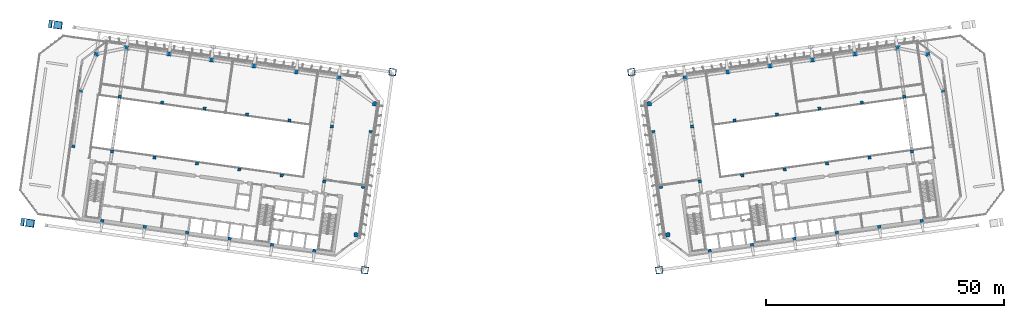
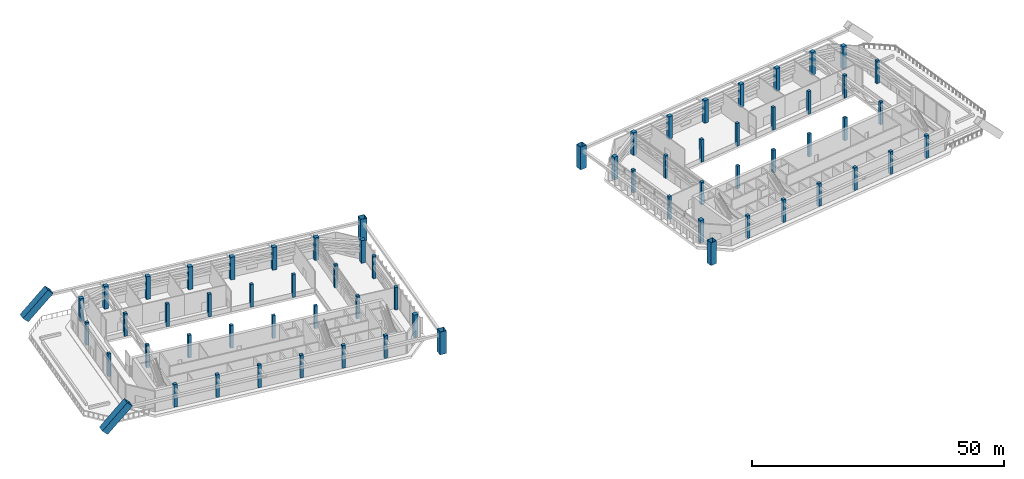
# One storey, part 1 of 41: 67 columns.
"""IFC4 building model written with IfcOpenShell, lengths in metres."""

import ifcopenshell
import ifcopenshell.guid

model = None  # the IFC model being written
_history = None  # IfcOwnerHistory: only IFC2X3 demands one
_inside = {}  # id of a spatial element -> (the spatial element, [elements in it])
_under = {}  # id of a project, library or spatial element -> (it, [spatial elements below it])
_declared = {}  # id of a project -> (the project, [libraries it declares])
_typed = {}  # id of a type object -> (the type object, [elements of that type])
_made_of = {}  # id of a material, layer set ... -> (it, [elements and type objects made of it])


def new_model(schema):
    """Start an empty IFC model of exactly this schema.

    Asked for "IFC4X3", IfcOpenShell would pick the latest addendum, in which some entities
    have other attributes; the version numbers below select the first issue.
    IFC2X3 requires an IfcOwnerHistory on every rooted entity: one is made here for all.
    """
    global model, _history
    if schema == "IFC4X3":
        model = ifcopenshell.file(schema_version=(4, 3, 0, 0))
    else:
        model = ifcopenshell.file(schema=schema)
    _inside.clear()
    _under.clear()
    _declared.clear()
    _typed.clear()
    _made_of.clear()
    _history = None
    if model.schema == "IFC2X3":
        org = make("IfcOrganization", Name="unknown")
        user = make(
            "IfcPersonAndOrganization",
            ThePerson=make("IfcPerson", FamilyName="unknown"),
            TheOrganization=org,
        )
        app = make(
            "IfcApplication",
            ApplicationDeveloper=org,
            Version="unknown",
            ApplicationFullName="unknown",
            ApplicationIdentifier="unknown",
        )
        _history = make(
            "IfcOwnerHistory",
            OwningUser=user,
            OwningApplication=app,
            ChangeAction="ADDED",
            CreationDate=0,
        )
    return model


def make(cls, **values):
    """One entity of the class cls with the attributes given. An attribute that is None is left unset."""
    return model.create_entity(
        cls, **{name: value for name, value in values.items() if value is not None}
    )


def rooted(cls, **values):
    """An entity with a GlobalId (a new one), such as an element, a storey or a relation."""
    return make(cls, GlobalId=ifcopenshell.guid.new(), OwnerHistory=_history, **values)


def si_unit(unit_type, name, prefix=None):
    """IfcSIUnit, for example si_unit("LENGTHUNIT", "METRE", prefix="MILLI")."""
    return make("IfcSIUnit", UnitType=unit_type, Prefix=prefix, Name=name)


def assignment(units):
    """IfcUnitAssignment: the units of a project."""
    return None if units is None else make("IfcUnitAssignment", Units=units)


def point(xyz):
    """IfcCartesianPoint."""
    return None if xyz is None else make("IfcCartesianPoint", Coordinates=xyz)


def direction(xyz):
    """IfcDirection."""
    return None if xyz is None else make("IfcDirection", DirectionRatios=xyz)


def frame(location, z_axis=None, x_axis=None):
    """IfcAxis2Placement3D, a coordinate frame: its origin and axes. An axis left out is left unset."""
    return make(
        "IfcAxis2Placement3D",
        Location=point(location),
        Axis=direction(z_axis),
        RefDirection=direction(x_axis),
    )


def frame_2d(location, x_axis=None):
    """IfcAxis2Placement2D, a coordinate frame in the plane: its origin and x axis."""
    return make(
        "IfcAxis2Placement2D", Location=point(location), RefDirection=direction(x_axis)
    )


def origin():
    """The frame at (0, 0, 0) with its axes left unset."""
    return frame((0.0, 0.0, 0.0))


def origin_2d():
    """The frame at (0, 0) in the plane with its x axis left unset."""
    return frame_2d((0.0, 0.0))


def place(relative_to, where):
    """IfcLocalPlacement: puts the frame where relative to a parent placement (None: the world)."""
    return make(
        "IfcLocalPlacement", PlacementRelTo=relative_to, RelativePlacement=where
    )


def context(
    kind, dimensions, precision=None, world=None, true_north=None, identifier=None
):
    """IfcGeometricRepresentationContext, for example the 3D "Model" context."""
    return make(
        "IfcGeometricRepresentationContext",
        ContextIdentifier=identifier,
        ContextType=kind,
        CoordinateSpaceDimension=dimensions,
        Precision=precision,
        WorldCoordinateSystem=world,
        TrueNorth=true_north,
    )


def subcontext(parent, identifier, kind, view, scale=None):
    """IfcGeometricRepresentationSubContext, for example "Body" below "Model"."""
    return make(
        "IfcGeometricRepresentationSubContext",
        ContextIdentifier=identifier,
        ContextType=kind,
        ParentContext=parent,
        TargetScale=scale,
        TargetView=view,
    )


def project(units=None, contexts=None):
    """IfcProject with its units and contexts."""
    return rooted(
        "IfcProject",
        Name="project",
        RepresentationContexts=contexts,
        UnitsInContext=assignment(units),
    )


def spatial(cls, under=None, at=None, **own):
    """A site, building, storey or space (cls), placed at a placement, below another one or the project."""
    s = rooted(cls, ObjectPlacement=at, **own)
    if under is not None:
        _under.setdefault(under.id(), (under, []))[1].append(s)
    return s


def profile(cls, at=None, kind="AREA", **sizes):
    """A parametric profile (cls). Its sizes go by their IFC names, for example OverallWidth=200.0."""
    return make(cls, ProfileType=kind, Position=at, **sizes)


def rectangle(**sizes):
    """IfcRectangleProfileDef."""
    return profile("IfcRectangleProfileDef", **sizes)


def hollow_rectangle(**sizes):
    """IfcRectangleHollowProfileDef."""
    return profile("IfcRectangleHollowProfileDef", **sizes)


def extrude(swept, where, along, depth):
    """IfcExtrudedAreaSolid: the profile swept, set in the frame where, extruded along a direction by depth."""
    return make(
        "IfcExtrudedAreaSolid",
        SweptArea=swept,
        Position=where,
        ExtrudedDirection=direction(along),
        Depth=depth,
    )


def shape(context_of_items, identifier, shape_type, items):
    """IfcShapeRepresentation: the items that make up one representation, for example the "Body"."""
    return make(
        "IfcShapeRepresentation",
        ContextOfItems=context_of_items,
        RepresentationIdentifier=identifier,
        RepresentationType=shape_type,
        Items=items,
    )


def material(Name=None, Category=None):
    """IfcMaterial."""
    return make("IfcMaterial", Name=Name, Category=Category)


def material_profile(
    of_material, cross_section, Name=None, Category=None, Priority=None
):
    """IfcMaterialProfile: a cross section and its material."""
    return make(
        "IfcMaterialProfile",
        Name=Name,
        Material=of_material,
        Profile=cross_section,
        Priority=Priority,
        Category=Category,
    )


def profile_set(profiles, Name=None, composite=None):
    """IfcMaterialProfileSet."""
    return make(
        "IfcMaterialProfileSet",
        Name=Name,
        MaterialProfiles=profiles,
        CompositeProfile=composite,
    )


def made_of(thing, what):
    """Note that an element or type object is made of a material, layer set ...; save() writes the relation."""
    if what is not None:
        _made_of.setdefault(what.id(), (what, []))[1].append(thing)
    return thing


def type_object(cls, material=None, **own):
    """A type object (cls), such as IfcWallType, which elements share."""
    return made_of(rooted(cls, **own), material)


def element(
    cls,
    number,
    at=None,
    inside=None,
    cuts=None,
    type_object=None,
    material=None,
    context=None,
    identifier="Body",
    shape_type=None,
    held_by="IfcProductDefinitionShape",
    body=None,
    shapes=None,
    **own,
):
    """One element of the class cls, such as IfcWall. Its Tag is "e" and its number.

    at: its placement. inside: the storey or other place that contains it. cuts: it is an
    opening in that element (IfcRelVoidsElement). A single representation is given by context,
    identifier, shape_type and body (its items); several are given by shapes. held_by: the class
    of the entity that holds the representations. save() writes the other relations.
    """
    e = rooted(cls, Tag="e%d" % number, ObjectPlacement=at, **own)
    if body is not None:
        shapes = [shape(context, identifier, shape_type, body)]
    if shapes is not None:
        e.Representation = make(held_by, Representations=shapes)
    if inside is not None:
        _inside.setdefault(inside.id(), (inside, []))[1].append(e)
    if cuts is not None:
        rooted(
            "IfcRelVoidsElement", RelatingBuildingElement=cuts, RelatedOpeningElement=e
        )
    if type_object is not None:
        _typed.setdefault(type_object.id(), (type_object, []))[1].append(e)
    return made_of(e, material)


def aggregate(whole, parts):
    """IfcRelAggregates: a whole, such as a stair, and the parts it consists of."""
    return rooted("IfcRelAggregates", RelatingObject=whole, RelatedObjects=parts)


def save(model, path):
    """Write the relations noted so far, then the file.

    IfcRelAggregates (storeys below a building ...), IfcRelContainedInSpatialStructure (elements
    in a storey), IfcRelDefinesByType, IfcRelAssociatesMaterial and IfcRelDeclares: one each for
    every whole, place, type object, material and project.
    """
    for whole, parts in _under.values():
        aggregate(whole, parts)
    for where, things in _inside.values():
        rooted(
            "IfcRelContainedInSpatialStructure",
            RelatedElements=things,
            RelatingStructure=where,
        )
    for kind, things in _typed.values():
        rooted("IfcRelDefinesByType", RelatedObjects=things, RelatingType=kind)
    for what, things in _made_of.values():
        rooted("IfcRelAssociatesMaterial", RelatedObjects=things, RelatingMaterial=what)
    for by, libraries in _declared.values():
        rooted("IfcRelDeclares", RelatingContext=by, RelatedDefinitions=libraries)
    model.write(path)


model = new_model("IFC4")

# Units and contexts
model_context = context("Model", 3, precision=1e-05, world=origin(), true_north=direction((0.0, 1.0)))
body_context = subcontext(model_context, "Body", "Model", "MODEL_VIEW")
ifc_project = project(units=[si_unit("LENGTHUNIT", "METRE"), si_unit("AREAUNIT", "SQUARE_METRE"), si_unit("VOLUMEUNIT", "CUBIC_METRE"), si_unit("PLANEANGLEUNIT", "RADIAN"), si_unit("MASSUNIT", "GRAM", prefix="KILO")], contexts=[model_context])

# Site, building, storey
site_placement = place(None, origin())
site = spatial("IfcSite", under=ifc_project, at=site_placement, CompositionType="ELEMENT")
building_placement = place(site_placement, origin())
building = spatial("IfcBuilding", under=site, at=building_placement, Name="Mirante Cascada Hotel Towers", CompositionType="ELEMENT")
storey_placement = place(building_placement, frame((0.0, 0.0, 151.9)))
storey = spatial("IfcBuildingStorey", under=building, at=storey_placement, Name="L35", CompositionType="ELEMENT", Elevation=151.9)

# Columns
ifc_material_1 = material(Name="Steel ASTM A572 Gr 50", Category="steel")
ifc_material_profile_1 = material_profile(ifc_material_1, hollow_rectangle(XDim=1.4, YDim=1.4, WallThickness=0.06, at=origin_2d()), Name="Box column 1400x1400x60 ASTM A572 Gr 50")
ifc_profile_set_1 = profile_set([ifc_material_profile_1], Name="Steel ASTM A572 Gr 50")
column_type_1 = type_object("IfcColumnType", Name="Box column 1400x1400x60 ASTM A572 Gr 50", PredefinedType="COLUMN", material=ifc_profile_set_1)
for number, where, z_axis, x_axis, name in (
    (1, (-25.0614, 18.5123, 0.0), (0.0, 0.0, 1.0), (-0.9902681, 0.1391731, 0.0), "Mega column MC1 T1 L35"),
    (2, (-30.9067, -23.079, 0.0), (0.0, 0.0, 1.0), (-0.9902681, 0.1391731, 0.0), "Mega column MC2 T1 L35"),
    (3, (25.0614, 18.5123, 0.0), (0.0, 0.0, 1.0), (0.9902681, 0.1391731, 0.0), "Mega column MC1 T2 L35"),
    (4, (30.9067, -23.079, 0.0), (0.0, 0.0, 1.0), (0.9902681, 0.1391731, 0.0), "Mega column MC2 T2 L35"),
):
    element("IfcColumn", number, at=place(storey_placement, frame(where, z_axis=z_axis, x_axis=x_axis)), inside=storey, type_object=column_type_1, Name=name, PredefinedType="COLUMN", context=body_context, shape_type="SweptSolid", body=[
        extrude(hollow_rectangle(XDim=1.4, YDim=1.4, WallThickness=0.06, at=origin_2d()), origin(), (0.0, 0.0, 1.0), 5.5),
    ])
ifc_material_2 = material(Name="Steel ASTM A572 Gr 50", Category="steel")
ifc_material_profile_2 = material_profile(ifc_material_2, hollow_rectangle(XDim=1.6, YDim=1.6, WallThickness=0.07, at=origin_2d()), Name="Box column 1600x1600x70 ASTM A572 Gr 50")
ifc_profile_set_2 = profile_set([ifc_material_profile_2], Name="Steel ASTM A572 Gr 50")
column_type_2 = type_object("IfcColumnType", Name="Box column 1600x1600x70 ASTM A572 Gr 50", PredefinedType="COLUMN", material=ifc_profile_set_2)
column_1_placement = place(storey_placement, frame((-96.7156, 28.5826, 0.0), z_axis=(0.6886554, -0.096776, 0.7186015), x_axis=(0.1391616, 0.9902697, 0.0)))
element("IfcColumn", 5, at=column_1_placement, inside=storey, type_object=column_type_2, Name="Mega column MC3 T1 L35", PredefinedType="COLUMN", context=body_context, shape_type="SweptSolid", body=[
    extrude(hollow_rectangle(XDim=1.6, YDim=1.6, WallThickness=0.07, at=origin_2d()), origin(), (0.0, 0.0, 1.0), 7.6538),
])
column_2_placement = place(storey_placement, frame((-102.5608, -13.0086, 0.0), z_axis=(0.6886477, -0.0967898, 0.7186071), x_axis=(0.1391826, 0.9902667, 0.0)))
element("IfcColumn", 6, at=column_2_placement, inside=storey, type_object=column_type_2, Name="Mega column MC4 T1 L35", PredefinedType="COLUMN", context=body_context, shape_type="SweptSolid", body=[
    extrude(hollow_rectangle(XDim=1.6, YDim=1.6, WallThickness=0.07, at=origin_2d()), origin(), (0.0, 0.0, 1.0), 7.6537),
])
ifc_material_3 = material(Name="Concrete C60/75", Category="concrete")
ifc_material_profile_3 = material_profile(ifc_material_3, rectangle(XDim=0.65, YDim=0.65, at=origin_2d()), Name="RC column 650x650 C60/75")
ifc_profile_set_3 = profile_set([ifc_material_profile_3], Name="Concrete C60/75")
column_type_3 = type_object("IfcColumnType", Name="RC column 650x650 C60/75", PredefinedType="COLUMN", material=ifc_profile_set_3)
for number, where, z_axis, x_axis, name in (
    (7, (-29.6893, 5.9592, 0.0), (0.0, 0.0, 1.0), (-0.9902681, 0.1391731, 0.0), "Column T1 L35 2"),
    (8, (-31.3106, -5.5774, 0.0), (0.0, 0.0, 1.0), (-0.9902681, 0.1391731, 0.0), "Column T1 L35 3"),
):
    element("IfcColumn", number, at=place(storey_placement, frame(where, z_axis=z_axis, x_axis=x_axis)), inside=storey, type_object=column_type_3, Name=name, PredefinedType="COLUMN", context=body_context, shape_type="SweptSolid", body=[
        extrude(rectangle(XDim=0.65, YDim=0.65, at=origin_2d()), origin(), (0.0, 0.0, 1.0), 5.4975),
    ])
for number, where, z_axis, x_axis, name in (
    (9, (-37.8243, 7.1025, 0.004), (0.0069918, -0.0009832, 0.9999751), (0.1392548, 0.9902566, 0.0), "Column T1 L35 6"),
    (10, (-39.4457, -4.4341, 0.004), (0.0069918, -0.0009832, 0.9999751), (0.1392548, 0.9902566, 0.0), "Column T1 L35 7"),
    (11, (-46.7367, 8.3551, 0.004), (0.0048434, -0.0006919, 0.999988), (0.1414214, 0.9899495, 0.0), "Column T1 L35 10"),
    (12, (-48.3581, -3.1815, 0.004), (0.0048434, -0.0006919, 0.999988), (0.1414214, 0.9899495, 0.0), "Column T1 L35 11"),
):
    element("IfcColumn", number, at=place(storey_placement, frame(where, z_axis=z_axis, x_axis=x_axis)), inside=storey, type_object=column_type_3, Name=name, PredefinedType="COLUMN", context=body_context, shape_type="SweptSolid", body=[
        extrude(rectangle(XDim=0.65, YDim=0.65, at=origin_2d()), origin(), (0.0, 0.0, 1.0), 5.4921),
    ])
for number, where, z_axis, x_axis, name in (
    (13, (-55.6343, 9.6055, 0.0), (0.0, 0.0, 1.0), (-0.9902681, 0.1391731, 0.0), "Column T1 L35 14"),
    (14, (-57.2557, -1.9311, 0.0), (0.0, 0.0, 1.0), (-0.9902681, 0.1391731, 0.0), "Column T1 L35 15"),
    (15, (-64.5467, 10.8581, 0.0), (0.0, 0.0, 1.0), (-0.9902681, 0.1391731, 0.0), "Column T1 L35 18"),
    (16, (-66.1681, -0.6785, 0.0), (0.0, 0.0, 1.0), (-0.9902681, 0.1391731, 0.0), "Column T1 L35 19"),
    (17, (-73.4591, 12.1107, 0.0), (0.0, 0.0, 1.0), (-0.9902681, 0.1391731, 0.0), "Column T1 L35 22"),
    (18, (-75.0805, 0.574, 0.0), (0.0, 0.0, 1.0), (-0.9902681, 0.1391731, 0.0), "Column T1 L35 23"),
    (19, (-82.3715, 13.3632, 0.0), (0.0, 0.0, 1.0), (-0.9902681, 0.1391731, 0.0), "Column T1 L35 26"),
    (20, (-83.9929, 1.8266, 0.0), (0.0, 0.0, 1.0), (-0.9902681, 0.1391731, 0.0), "Column T1 L35 27"),
    (21, (-90.4917, 14.5044, 0.0), (0.0, 0.0, 1.0), (-0.9902681, 0.1391731, 0.0), "Column T1 L35 30"),
    (22, (-92.1131, 2.9678, 0.0), (0.0, 0.0, 1.0), (-0.9902681, 0.1391731, 0.0), "Column T1 L35 31"),
):
    element("IfcColumn", number, at=place(storey_placement, frame(where, z_axis=z_axis, x_axis=x_axis)), inside=storey, type_object=column_type_3, Name=name, PredefinedType="COLUMN", context=body_context, shape_type="SweptSolid", body=[
        extrude(rectangle(XDim=0.65, YDim=0.65, at=origin_2d()), origin(), (0.0, 0.0, 1.0), 5.5),
    ])
for number, where, z_axis, x_axis, name in (
    (23, (29.6893, 5.9592, 0.0), (0.0, 0.0, 1.0), (0.9902681, 0.1391731, 0.0), "Column T2 L35 2"),
    (24, (31.3106, -5.5774, 0.0), (0.0, 0.0, 1.0), (0.9902681, 0.1391731, 0.0), "Column T2 L35 3"),
):
    element("IfcColumn", number, at=place(storey_placement, frame(where, z_axis=z_axis, x_axis=x_axis)), inside=storey, type_object=column_type_3, Name=name, PredefinedType="COLUMN", context=body_context, shape_type="SweptSolid", body=[
        extrude(rectangle(XDim=0.65, YDim=0.65, at=origin_2d()), origin(), (0.0, 0.0, 1.0), 5.4975),
    ])
for number, where, z_axis, x_axis, name in (
    (25, (37.8243, 7.1025, 0.004), (-0.0069918, -0.0009832, 0.9999751), (0.1392548, -0.9902566, 0.0), "Column T2 L35 6"),
    (26, (39.4457, -4.4341, 0.004), (-0.0069918, -0.0009832, 0.9999751), (0.1392548, -0.9902566, 0.0), "Column T2 L35 7"),
    (27, (46.7367, 8.3551, 0.004), (-0.0048434, -0.0006919, 0.999988), (0.1414214, -0.9899495, 0.0), "Column T2 L35 10"),
    (28, (48.3581, -3.1815, 0.004), (-0.0048434, -0.0006919, 0.999988), (0.1414214, -0.9899495, 0.0), "Column T2 L35 11"),
):
    element("IfcColumn", number, at=place(storey_placement, frame(where, z_axis=z_axis, x_axis=x_axis)), inside=storey, type_object=column_type_3, Name=name, PredefinedType="COLUMN", context=body_context, shape_type="SweptSolid", body=[
        extrude(rectangle(XDim=0.65, YDim=0.65, at=origin_2d()), origin(), (0.0, 0.0, 1.0), 5.4921),
    ])
for number, where, z_axis, x_axis, name in (
    (29, (55.6343, 9.6055, 0.0), (0.0, 0.0, 1.0), (0.9902681, 0.1391731, 0.0), "Column T2 L35 14"),
    (30, (57.2557, -1.9311, 0.0), (0.0, 0.0, 1.0), (0.9902681, 0.1391731, 0.0), "Column T2 L35 15"),
    (31, (64.5467, 10.8581, 0.0), (0.0, 0.0, 1.0), (0.9902681, 0.1391731, 0.0), "Column T2 L35 18"),
    (32, (66.1681, -0.6785, 0.0), (0.0, 0.0, 1.0), (0.9902681, 0.1391731, 0.0), "Column T2 L35 19"),
    (33, (73.4591, 12.1107, 0.0), (0.0, 0.0, 1.0), (0.9902681, 0.1391731, 0.0), "Column T2 L35 22"),
    (34, (75.0805, 0.574, 0.0), (0.0, 0.0, 1.0), (0.9902681, 0.1391731, 0.0), "Column T2 L35 23"),
    (35, (82.3715, 13.3632, 0.0), (0.0, 0.0, 1.0), (0.9902681, 0.1391731, 0.0), "Column T2 L35 26"),
    (36, (83.9929, 1.8266, 0.0), (0.0, 0.0, 1.0), (0.9902681, 0.1391731, 0.0), "Column T2 L35 27"),
    (37, (90.4917, 14.5044, 0.0), (0.0, 0.0, 1.0), (0.9902681, 0.1391731, 0.0), "Column T2 L35 30"),
):
    element("IfcColumn", number, at=place(storey_placement, frame(where, z_axis=z_axis, x_axis=x_axis)), inside=storey, type_object=column_type_3, Name=name, PredefinedType="COLUMN", context=body_context, shape_type="SweptSolid", body=[
        extrude(rectangle(XDim=0.65, YDim=0.65, at=origin_2d()), origin(), (0.0, 0.0, 1.0), 5.5),
    ])
ifc_material_4 = material(Name="Concrete C60/75", Category="concrete")
ifc_material_profile_4 = material_profile(ifc_material_4, rectangle(XDim=0.7, YDim=0.7, at=origin_2d()), Name="RC column 700x700 C60/75")
ifc_profile_set_4 = profile_set([ifc_material_profile_4], Name="Concrete C60/75")
column_type_4 = type_object("IfcColumnType", Name="RC column 700x700 C60/75", PredefinedType="COLUMN", material=ifc_profile_set_4)
for number, where, z_axis, x_axis, name in (
    (38, (-41.495, -19.0158, 0.004), (0.0069918, -0.0009832, 0.9999751), (0.1392548, 0.9902566, 0.0), "Column T1 L35 8"),
    (39, (-50.4074, -17.7632, 0.004), (0.0048434, -0.0006919, 0.999988), (0.1414214, 0.9899495, 0.0), "Column T1 L35 12"),
):
    element("IfcColumn", number, at=place(storey_placement, frame(where, z_axis=z_axis, x_axis=x_axis)), inside=storey, type_object=column_type_4, Name=name, PredefinedType="COLUMN", context=body_context, shape_type="SweptSolid", body=[
        extrude(rectangle(XDim=0.7, YDim=0.7, at=origin_2d()), origin(), (0.0, 0.0, 1.0), 5.4921),
    ])
for number, where, z_axis, x_axis, name in (
    (40, (-59.305, -16.5128, 0.0), (0.0, 0.0, 1.0), (-0.9902681, 0.1391731, 0.0), "Column T1 L35 16"),
    (41, (-68.2174, -15.2602, 0.0), (0.0, 0.0, 1.0), (-0.9902681, 0.1391731, 0.0), "Column T1 L35 20"),
    (42, (-77.1298, -14.0077, 0.0), (0.0, 0.0, 1.0), (-0.9902681, 0.1391731, 0.0), "Column T1 L35 24"),
    (43, (-86.0422, -12.7551, 0.0), (0.0, 0.0, 1.0), (-0.9902681, 0.1391731, 0.0), "Column T1 L35 28"),
):
    element("IfcColumn", number, at=place(storey_placement, frame(where, z_axis=z_axis, x_axis=x_axis)), inside=storey, type_object=column_type_4, Name=name, PredefinedType="COLUMN", context=body_context, shape_type="SweptSolid", body=[
        extrude(rectangle(XDim=0.7, YDim=0.7, at=origin_2d()), origin(), (0.0, 0.0, 1.0), 5.5),
    ])
for number, where, z_axis, x_axis, name in (
    (44, (41.495, -19.0158, 0.004), (-0.0069918, -0.0009832, 0.9999751), (0.1392548, -0.9902566, 0.0), "Column T2 L35 8"),
    (45, (50.4074, -17.7632, 0.004), (-0.0048434, -0.0006919, 0.999988), (0.1414214, -0.9899495, 0.0), "Column T2 L35 12"),
):
    element("IfcColumn", number, at=place(storey_placement, frame(where, z_axis=z_axis, x_axis=x_axis)), inside=storey, type_object=column_type_4, Name=name, PredefinedType="COLUMN", context=body_context, shape_type="SweptSolid", body=[
        extrude(rectangle(XDim=0.7, YDim=0.7, at=origin_2d()), origin(), (0.0, 0.0, 1.0), 5.4921),
    ])
for number, where, z_axis, x_axis, name in (
    (46, (59.305, -16.5128, 0.0), (0.0, 0.0, 1.0), (0.9902681, 0.1391731, 0.0), "Column T2 L35 16"),
    (47, (68.2174, -15.2602, 0.0), (0.0, 0.0, 1.0), (0.9902681, 0.1391731, 0.0), "Column T2 L35 20"),
    (48, (77.1298, -14.0077, 0.0), (0.0, 0.0, 1.0), (0.9902681, 0.1391731, 0.0), "Column T2 L35 24"),
    (49, (86.0422, -12.7551, 0.0), (0.0, 0.0, 1.0), (0.9902681, 0.1391731, 0.0), "Column T2 L35 28"),
):
    element("IfcColumn", number, at=place(storey_placement, frame(where, z_axis=z_axis, x_axis=x_axis)), inside=storey, type_object=column_type_4, Name=name, PredefinedType="COLUMN", context=body_context, shape_type="SweptSolid", body=[
        extrude(rectangle(XDim=0.7, YDim=0.7, at=origin_2d()), origin(), (0.0, 0.0, 1.0), 5.5),
    ])
ifc_material_5 = material(Name="Concrete C60/75", Category="concrete")
ifc_material_profile_5 = material_profile(ifc_material_5, rectangle(XDim=0.9, YDim=0.9, at=origin_2d()), Name="RC column 900x900 C60/75")
ifc_profile_set_5 = profile_set([ifc_material_profile_5], Name="Concrete C60/75")
column_type_5 = type_object("IfcColumnType", Name="RC column 900x900 C60/75", PredefinedType="COLUMN", material=ifc_profile_set_5)
for number, where, z_axis, x_axis, name in (
    (50, (-28.8577, 11.8761, 0.0), (0.0, 0.0, 1.0), (-0.9902681, 0.1391731, 0.0), "Column T1 L35 1"),
    (51, (-32.7267, -15.6534, 0.0), (0.0, 0.0, 1.0), (-0.9902681, 0.1391731, 0.0), "Column T1 L35 4"),
):
    element("IfcColumn", number, at=place(storey_placement, frame(where, z_axis=z_axis, x_axis=x_axis)), inside=storey, type_object=column_type_5, Name=name, PredefinedType="COLUMN", context=body_context, shape_type="SweptSolid", body=[
        extrude(rectangle(XDim=0.9, YDim=0.9, at=origin_2d()), origin(), (0.0, 0.0, 1.0), 5.4965),
    ])
for number, where, z_axis, x_axis, name in (
    (52, (-36.3873, 17.327, 0.004), (0.0069918, -0.0009832, 0.9999751), (0.1392548, 0.9902566, 0.0), "Column T1 L35 5"),
    (53, (-45.2998, 18.5796, 0.004), (0.0048616, -0.0006737, 0.999988), (0.1372651, 0.9905344, 0.0), "Column T1 L35 9"),
):
    element("IfcColumn", number, at=place(storey_placement, frame(where, z_axis=z_axis, x_axis=x_axis)), inside=storey, type_object=column_type_5, Name=name, PredefinedType="COLUMN", context=body_context, shape_type="SweptSolid", body=[
        extrude(rectangle(XDim=0.9, YDim=0.9, at=origin_2d()), origin(), (0.0, 0.0, 1.0), 5.4921),
    ])
for number, where, z_axis, x_axis, name in (
    (54, (-54.1973, 19.8301, 0.0), (0.0, 0.0, 1.0), (-0.9902681, 0.1391731, 0.0), "Column T1 L35 13"),
    (55, (-63.1097, 21.0826, 0.0), (0.0, 0.0, 1.0), (-0.9902681, 0.1391731, 0.0), "Column T1 L35 17"),
    (56, (-72.0222, 22.3352, 0.0), (0.0, 0.0, 1.0), (-0.9902681, 0.1391731, 0.0), "Column T1 L35 21"),
    (57, (-80.9346, 23.5877, 0.0), (0.0, 0.0, 1.0), (-0.9902681, 0.1391731, 0.0), "Column T1 L35 25"),
    (58, (-87.2744, 22.3076, 0.0), (0.0, 0.0, 1.0), (-0.9902681, 0.1391731, 0.0), "Column T1 L35 29"),
):
    element("IfcColumn", number, at=place(storey_placement, frame(where, z_axis=z_axis, x_axis=x_axis)), inside=storey, type_object=column_type_5, Name=name, PredefinedType="COLUMN", context=body_context, shape_type="SweptSolid", body=[
        extrude(rectangle(XDim=0.9, YDim=0.9, at=origin_2d()), origin(), (0.0, 0.0, 1.0), 5.5),
    ])
for number, where, z_axis, x_axis, name in (
    (59, (28.8577, 11.8761, 0.0), (0.0, 0.0, 1.0), (0.9902681, 0.1391731, 0.0), "Column T2 L35 1"),
    (60, (32.7267, -15.6534, 0.0), (0.0, 0.0, 1.0), (0.9902681, 0.1391731, 0.0), "Column T2 L35 4"),
):
    element("IfcColumn", number, at=place(storey_placement, frame(where, z_axis=z_axis, x_axis=x_axis)), inside=storey, type_object=column_type_5, Name=name, PredefinedType="COLUMN", context=body_context, shape_type="SweptSolid", body=[
        extrude(rectangle(XDim=0.9, YDim=0.9, at=origin_2d()), origin(), (0.0, 0.0, 1.0), 5.4965),
    ])
for number, where, z_axis, x_axis, name in (
    (61, (36.3873, 17.327, 0.004), (-0.0069918, -0.0009832, 0.9999751), (0.1392548, -0.9902566, 0.0), "Column T2 L35 5"),
    (62, (45.2998, 18.5796, 0.004), (-0.0048616, -0.0006737, 0.999988), (0.1372651, -0.9905344, 0.0), "Column T2 L35 9"),
):
    element("IfcColumn", number, at=place(storey_placement, frame(where, z_axis=z_axis, x_axis=x_axis)), inside=storey, type_object=column_type_5, Name=name, PredefinedType="COLUMN", context=body_context, shape_type="SweptSolid", body=[
        extrude(rectangle(XDim=0.9, YDim=0.9, at=origin_2d()), origin(), (0.0, 0.0, 1.0), 5.4921),
    ])
for number, where, z_axis, x_axis, name in (
    (63, (54.1973, 19.8301, 0.0), (0.0, 0.0, 1.0), (0.9902681, 0.1391731, 0.0), "Column T2 L35 13"),
    (64, (63.1097, 21.0826, 0.0), (0.0, 0.0, 1.0), (0.9902681, 0.1391731, 0.0), "Column T2 L35 17"),
    (65, (72.0222, 22.3352, 0.0), (0.0, 0.0, 1.0), (0.9902681, 0.1391731, 0.0), "Column T2 L35 21"),
    (66, (80.9346, 23.5877, 0.0), (0.0, 0.0, 1.0), (0.9902681, 0.1391731, 0.0), "Column T2 L35 25"),
    (67, (87.2744, 22.3076, 0.0), (0.0, 0.0, 1.0), (0.9902681, 0.1391731, 0.0), "Column T2 L35 29"),
):
    element("IfcColumn", number, at=place(storey_placement, frame(where, z_axis=z_axis, x_axis=x_axis)), inside=storey, type_object=column_type_5, Name=name, PredefinedType="COLUMN", context=body_context, shape_type="SweptSolid", body=[
        extrude(rectangle(XDim=0.9, YDim=0.9, at=origin_2d()), origin(), (0.0, 0.0, 1.0), 5.5),
    ])

save(model, "model.ifc")
